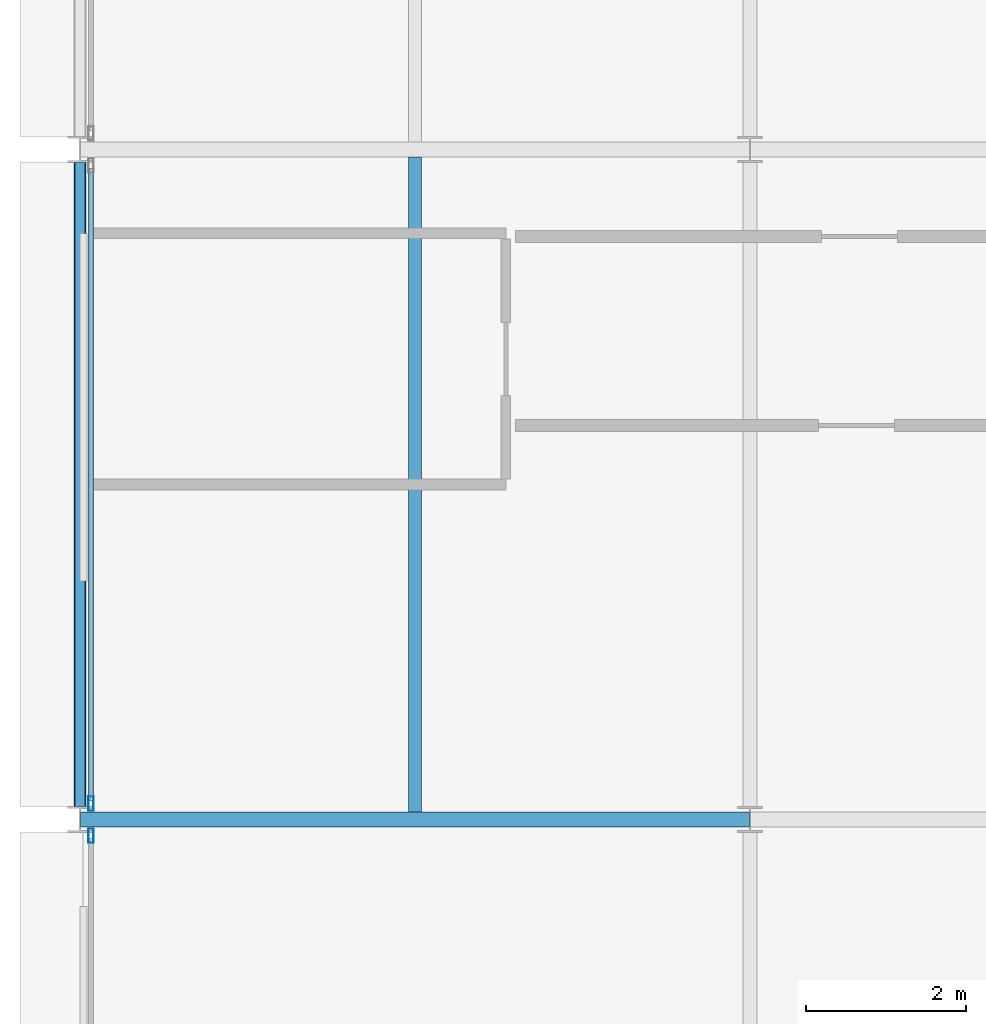
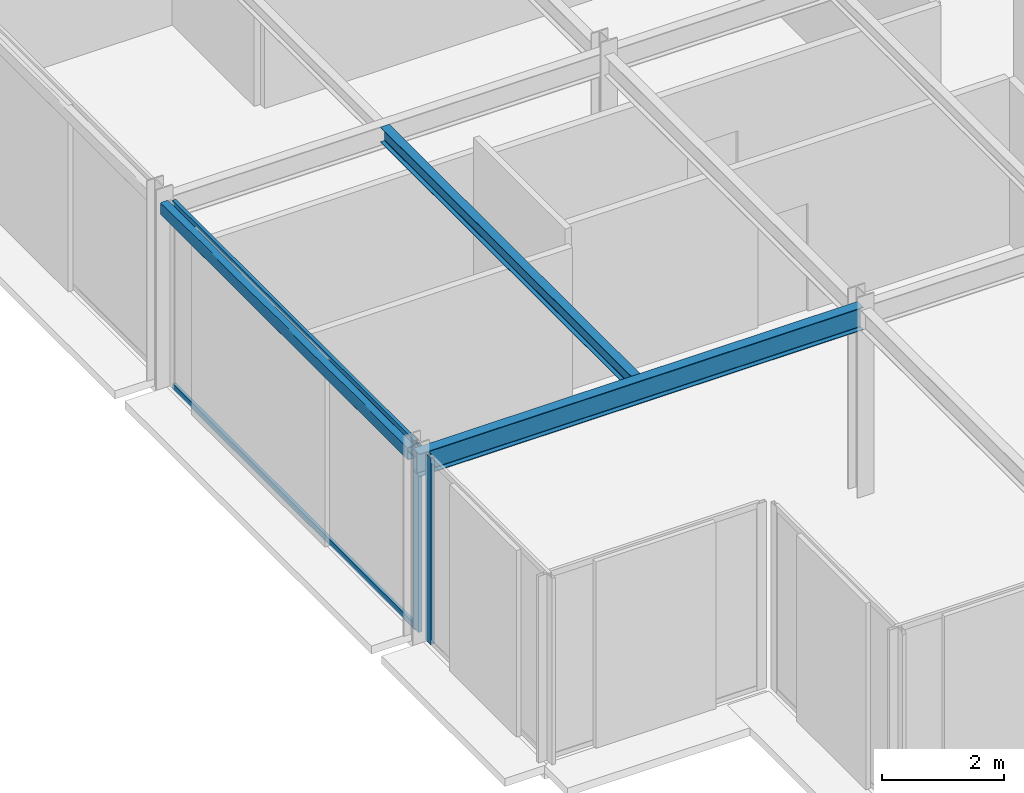
# One storey, part 5 of 27: 4 members, 3 beams, 2 elements without a shape of their own.
"""IFC4 building model written with IfcOpenShell, lengths in metres."""

from ifc_helpers import new_model, si_unit, direction, frame, origin, origin_2d, place, context, subcontext, project, spatial, hollow_rectangle, i_section, extrude, material, layer, layer_set, material_profile, profile_set, type_object, element, aggregate, save


model = new_model("IFC4")

# Units and contexts
model_context = context("Model", 3, precision=1e-05, world=origin(), true_north=direction((0.0, 1.0)))
body_context = subcontext(model_context, "Body", "Model", "MODEL_VIEW")
ifc_project = project(units=[si_unit("LENGTHUNIT", "METRE"), si_unit("AREAUNIT", "SQUARE_METRE"), si_unit("VOLUMEUNIT", "CUBIC_METRE"), si_unit("PLANEANGLEUNIT", "RADIAN"), si_unit("MASSUNIT", "GRAM", prefix="KILO")], contexts=[model_context])

# Site, building, storey
site_placement = place(None, origin())
site = spatial("IfcSite", under=ifc_project, at=site_placement, CompositionType="ELEMENT")
building_placement = place(site_placement, origin())
building = spatial("IfcBuilding", under=site, at=building_placement, Name="Nerrivon Quay Data Exchange", CompositionType="ELEMENT")
storey_placement = place(building_placement, frame((0.0, 0.0, 266.199951171875)))
storey = spatial("IfcBuildingStorey", under=building, at=storey_placement, Name="L63", CompositionType="ELEMENT", Elevation=266.199951171875)

# Beams
ifc_material_1 = material(Name="Steel Grade 350", Category="steel")
ifc_material_profile_1 = material_profile(ifc_material_1, i_section(OverallWidth=0.18994140625, OverallDepth=0.4541015625, WebThickness=0.008544921875, FlangeThickness=0.0126953125, FilletRadius=0.011474609375, at=origin_2d()), Name="460UB67.1")
ifc_profile_set_1 = profile_set([ifc_material_profile_1], Name="Steel Grade 350")
beam_type_1 = type_object("IfcBeamType", Name="BM-G6-460UB67", PredefinedType="BEAM", material=ifc_profile_set_1)
beam_1_placement = place(storey_placement, frame((0.0078125, 8.39990234375, 3.498046875), z_axis=(1.0, 0.0, 0.0), x_axis=(0.0, 1.0, 0.0)))
element("IfcBeam", 1, at=beam_1_placement, inside=storey, type_object=beam_type_1, Name="L63 EW Girder Y=8.4 (0.0..8.4)", PredefinedType="BEAM", context=body_context, shape_type="SweptSolid", body=[
    extrude(i_section(OverallWidth=0.18994140625, OverallDepth=0.4541015625, WebThickness=0.008544921875, FlangeThickness=0.0126953125, FilletRadius=0.011474609375, at=origin_2d()), origin(), (0.0, 0.0, 1.0), 8.38427734375),
])
ifc_material_profile_2 = material_profile(ifc_material_1, i_section(OverallWidth=0.1650390625, OverallDepth=0.303955078125, WebThickness=0.006103515625, FlangeThickness=0.01025390625, FilletRadius=0.011474609375, at=origin_2d()), Name="310UB40.4")
ifc_profile_set_2 = profile_set([ifc_material_profile_2], Name="Steel Grade 350")
beam_type_2 = type_object("IfcBeamType", Name="BM-J6-310UB40", PredefinedType="JOIST", material=ifc_profile_set_2)
beam_2_placement = place(storey_placement, frame((4.199951171875, 8.4951171875, 3.572998046875), z_axis=(0.0, 1.0, 0.0), x_axis=(-1.0, 0.0, 0.0)))
element("IfcBeam", 2, at=beam_2_placement, inside=storey, type_object=beam_type_2, Name="L63 Secondary Joist X=4.2 (8.4..16.8)", PredefinedType="JOIST", context=body_context, shape_type="SweptSolid", body=[
    extrude(i_section(OverallWidth=0.1650390625, OverallDepth=0.303955078125, WebThickness=0.006103515625, FlangeThickness=0.01025390625, FilletRadius=0.011474609375, at=origin_2d()), origin(), (0.0, 0.0, 1.0), 8.2099609375),
])
ifc_material_2 = material(Name="Steel Grade C350L0 (350 MPa)", Category="steel")
ifc_material_profile_3 = material_profile(ifc_material_2, hollow_rectangle(XDim=0.14990234375, YDim=0.25, WallThickness=0.009033203125, InnerFilletRadius=0.013427734375, OuterFilletRadius=0.0224609375, at=origin_2d()), Name="250x150x9.0RHS")
ifc_profile_set_3 = profile_set([ifc_material_profile_3], Name="Steel Grade C350L0 (350 MPa)")
beam_type_3 = type_object("IfcBeamType", Name="BM-SP4-250x150RHS", PredefinedType="SPANDREL", material=ifc_profile_set_3)
beam_3_placement = place(storey_placement, frame((0.0, 8.5634765625, 3.60009765625), z_axis=(0.0, 1.0, 0.0), x_axis=(-1.0, 0.0, 0.0)))
element("IfcBeam", 3, at=beam_3_placement, inside=storey, type_object=beam_type_3, Name="L63 NS Girder X=0.0 (8.4..16.8)", PredefinedType="SPANDREL", context=body_context, shape_type="SweptSolid", body=[
    extrude(hollow_rectangle(XDim=0.14990234375, YDim=0.25, WallThickness=0.009033203125, InnerFilletRadius=0.013427734375, OuterFilletRadius=0.0224609375, at=origin_2d()), origin(), (0.0, 0.0, 1.0), 8.072998046875),
])

# Curtain wall, member
ifc_material_3 = material(Name="Anodised aluminium 6063-T6", Category="aluminium")
ifc_layer = layer(ifc_material_3, 0.195068359375)
ifc_layer_set = layer_set([ifc_layer], Name="Anodised aluminium 6063-T6")
curtain_wall_type = type_object("IfcCurtainWallType", Name="CW-SYS-06", PredefinedType="NOTDEFINED", material=ifc_layer_set)
curtain_wall_1_placement = place(storey_placement, origin())
curtain_wall_1 = element("IfcCurtainWall", 4, at=curtain_wall_1_placement, inside=storey, type_object=curtain_wall_type, Name="L63 Unitised Curtain Wall 11", PredefinedType="NOTDEFINED")
ifc_material_profile_4 = material_profile(ifc_material_3, hollow_rectangle(XDim=0.06494140625, YDim=0.179931640625, WallThickness=0.00341796875, at=origin_2d()), Name="ALU-MULL-180x65")
ifc_profile_set_4 = profile_set([ifc_material_profile_4], Name="Anodised aluminium 6063-T6")
member_type_1 = type_object("IfcMemberType", Name="CWM-180x65", PredefinedType="MULLION", material=ifc_profile_set_4)
member_1_placement = place(storey_placement, frame((0.139892578125, 8.198974609375, 0.0), z_axis=(0.0, 0.0, 1.0), x_axis=(-1.0, 0.0, 0.0)))
member_1 = element("IfcMember", 5, at=member_1_placement, type_object=member_type_1, Name="CW06 mullion 2", PredefinedType="MULLION", context=body_context, shape_type="SweptSolid", body=[
    extrude(hollow_rectangle(XDim=0.06494140625, YDim=0.179931640625, WallThickness=0.00341796875, at=origin_2d()), origin(), (0.0, 0.0, 1.0), 3.72509765625),
])
aggregate(curtain_wall_1, [member_1])

# Curtain wall, members
curtain_wall_2_placement = place(storey_placement, origin())
curtain_wall_2 = element("IfcCurtainWall", 6, at=curtain_wall_2_placement, inside=storey, type_object=curtain_wall_type, Name="L63 Unitised Curtain Wall 12", PredefinedType="NOTDEFINED")
member_2_placement = place(storey_placement, frame((0.139892578125, 8.60107421875, 0.0), z_axis=(0.0, 0.0, 1.0), x_axis=(-1.0, 0.0, 0.0)))
member_2 = element("IfcMember", 7, at=member_2_placement, type_object=member_type_1, Name="CW06 mullion 1", PredefinedType="MULLION", context=body_context, shape_type="SweptSolid", body=[
    extrude(hollow_rectangle(XDim=0.06494140625, YDim=0.179931640625, WallThickness=0.00341796875, at=origin_2d()), origin(), (0.0, 0.0, 1.0), 3.72509765625),
])
ifc_material_profile_5 = material_profile(ifc_material_3, hollow_rectangle(XDim=0.06005859375, YDim=0.1201171875, WallThickness=0.003173828125, at=origin_2d()), Name="ALU-TRAN-120x60")
ifc_profile_set_5 = profile_set([ifc_material_profile_5], Name="Anodised aluminium 6063-T6")
member_type_2 = type_object("IfcMemberType", Name="CWT-120x60", PredefinedType="USERDEFINED", material=ifc_profile_set_5)
member_3_placement = place(storey_placement, frame((0.139892578125, 8.638427734375, 0.032470703125), z_axis=(0.0, 1.0, 0.0), x_axis=(-1.0, 0.0, 0.0)))
member_3 = element("IfcMember", 8, at=member_3_placement, type_object=member_type_2, Name="CW06 transom 1.1", ObjectType="TRANSOM", PredefinedType="USERDEFINED", context=body_context, shape_type="SweptSolid", body=[
    extrude(hollow_rectangle(XDim=0.06005859375, YDim=0.1201171875, WallThickness=0.003173828125, at=origin_2d()), origin(), (0.0, 0.0, 1.0), 7.923095703125),
])
member_4_placement = place(storey_placement, frame((0.139892578125, 8.638427734375, 3.692626953125), z_axis=(0.0, 1.0, 0.0), x_axis=(-1.0, 0.0, 0.0)))
member_4 = element("IfcMember", 9, at=member_4_placement, type_object=member_type_2, Name="CW06 transom 1.2", ObjectType="TRANSOM", PredefinedType="USERDEFINED", context=body_context, shape_type="SweptSolid", body=[
    extrude(hollow_rectangle(XDim=0.06005859375, YDim=0.1201171875, WallThickness=0.003173828125, at=origin_2d()), origin(), (0.0, 0.0, 1.0), 7.923095703125),
])
aggregate(curtain_wall_2, [member_2, member_3, member_4])

save(model, "model.ifc")
